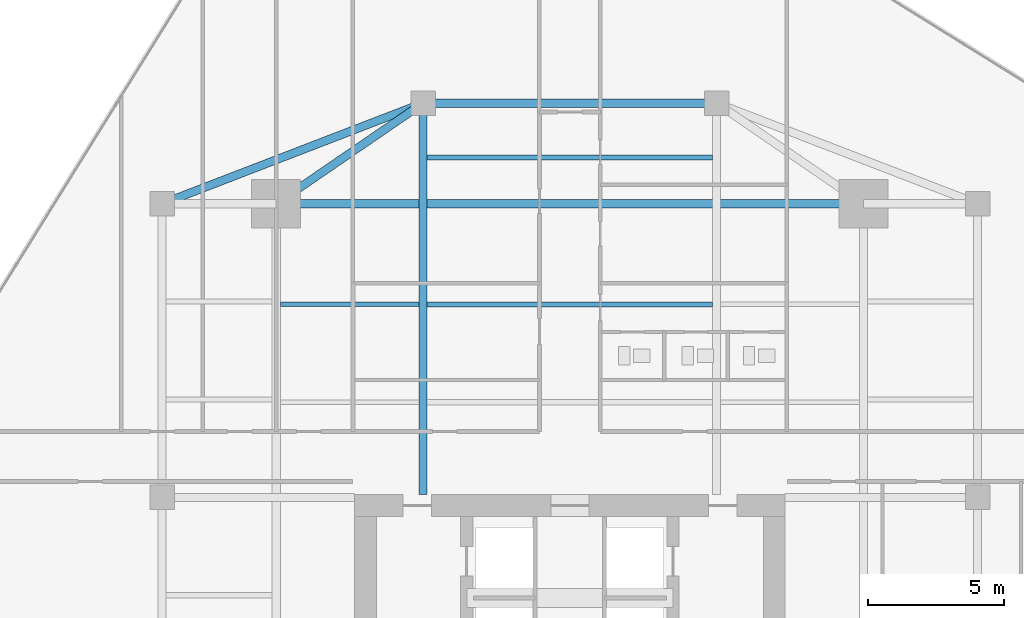
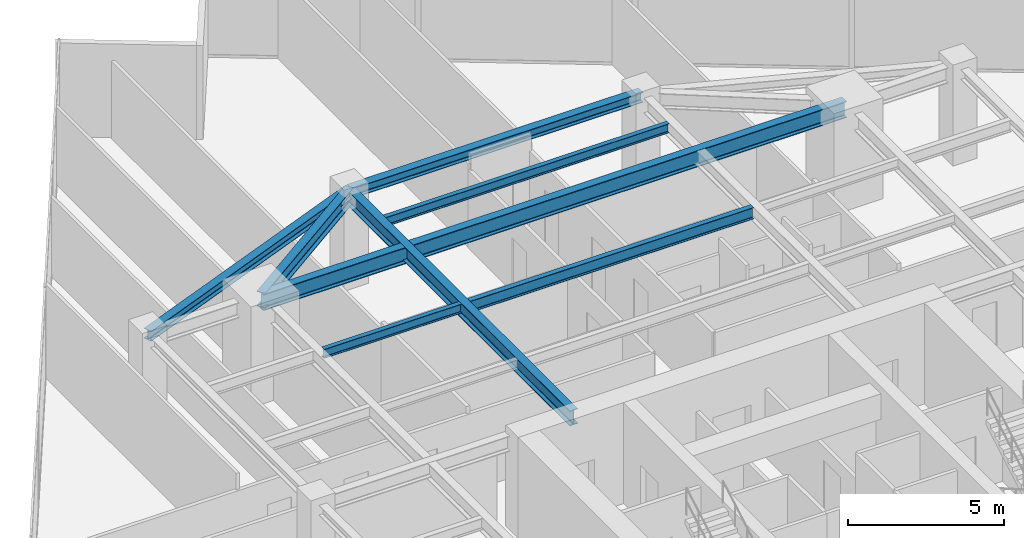
# One storey, part 14 of 25: 8 beams.
"""IFC4 building model written with IfcOpenShell, lengths in metres."""

import ifcopenshell
import ifcopenshell.guid

model = None  # the IFC model being written
_history = None  # IfcOwnerHistory: only IFC2X3 demands one
_inside = {}  # id of a spatial element -> (the spatial element, [elements in it])
_under = {}  # id of a project, library or spatial element -> (it, [spatial elements below it])
_declared = {}  # id of a project -> (the project, [libraries it declares])
_typed = {}  # id of a type object -> (the type object, [elements of that type])
_made_of = {}  # id of a material, layer set ... -> (it, [elements and type objects made of it])


def new_model(schema):
    """Start an empty IFC model of exactly this schema.

    Asked for "IFC4X3", IfcOpenShell would pick the latest addendum, in which some entities
    have other attributes; the version numbers below select the first issue.
    IFC2X3 requires an IfcOwnerHistory on every rooted entity: one is made here for all.
    """
    global model, _history
    if schema == "IFC4X3":
        model = ifcopenshell.file(schema_version=(4, 3, 0, 0))
    else:
        model = ifcopenshell.file(schema=schema)
    _inside.clear()
    _under.clear()
    _declared.clear()
    _typed.clear()
    _made_of.clear()
    _history = None
    if model.schema == "IFC2X3":
        org = make("IfcOrganization", Name="unknown")
        user = make(
            "IfcPersonAndOrganization",
            ThePerson=make("IfcPerson", FamilyName="unknown"),
            TheOrganization=org,
        )
        app = make(
            "IfcApplication",
            ApplicationDeveloper=org,
            Version="unknown",
            ApplicationFullName="unknown",
            ApplicationIdentifier="unknown",
        )
        _history = make(
            "IfcOwnerHistory",
            OwningUser=user,
            OwningApplication=app,
            ChangeAction="ADDED",
            CreationDate=0,
        )
    return model


def make(cls, **values):
    """One entity of the class cls with the attributes given. An attribute that is None is left unset."""
    return model.create_entity(
        cls, **{name: value for name, value in values.items() if value is not None}
    )


def rooted(cls, **values):
    """An entity with a GlobalId (a new one), such as an element, a storey or a relation."""
    return make(cls, GlobalId=ifcopenshell.guid.new(), OwnerHistory=_history, **values)


def si_unit(unit_type, name, prefix=None):
    """IfcSIUnit, for example si_unit("LENGTHUNIT", "METRE", prefix="MILLI")."""
    return make("IfcSIUnit", UnitType=unit_type, Prefix=prefix, Name=name)


def assignment(units):
    """IfcUnitAssignment: the units of a project."""
    return None if units is None else make("IfcUnitAssignment", Units=units)


def point(xyz):
    """IfcCartesianPoint."""
    return None if xyz is None else make("IfcCartesianPoint", Coordinates=xyz)


def direction(xyz):
    """IfcDirection."""
    return None if xyz is None else make("IfcDirection", DirectionRatios=xyz)


def frame(location, z_axis=None, x_axis=None):
    """IfcAxis2Placement3D, a coordinate frame: its origin and axes. An axis left out is left unset."""
    return make(
        "IfcAxis2Placement3D",
        Location=point(location),
        Axis=direction(z_axis),
        RefDirection=direction(x_axis),
    )


def frame_2d(location, x_axis=None):
    """IfcAxis2Placement2D, a coordinate frame in the plane: its origin and x axis."""
    return make(
        "IfcAxis2Placement2D", Location=point(location), RefDirection=direction(x_axis)
    )


def origin():
    """The frame at (0, 0, 0) with its axes left unset."""
    return frame((0.0, 0.0, 0.0))


def origin_2d():
    """The frame at (0, 0) in the plane with its x axis left unset."""
    return frame_2d((0.0, 0.0))


def place(relative_to, where):
    """IfcLocalPlacement: puts the frame where relative to a parent placement (None: the world)."""
    return make(
        "IfcLocalPlacement", PlacementRelTo=relative_to, RelativePlacement=where
    )


def context(
    kind, dimensions, precision=None, world=None, true_north=None, identifier=None
):
    """IfcGeometricRepresentationContext, for example the 3D "Model" context."""
    return make(
        "IfcGeometricRepresentationContext",
        ContextIdentifier=identifier,
        ContextType=kind,
        CoordinateSpaceDimension=dimensions,
        Precision=precision,
        WorldCoordinateSystem=world,
        TrueNorth=true_north,
    )


def subcontext(parent, identifier, kind, view, scale=None):
    """IfcGeometricRepresentationSubContext, for example "Body" below "Model"."""
    return make(
        "IfcGeometricRepresentationSubContext",
        ContextIdentifier=identifier,
        ContextType=kind,
        ParentContext=parent,
        TargetScale=scale,
        TargetView=view,
    )


def project(units=None, contexts=None):
    """IfcProject with its units and contexts."""
    return rooted(
        "IfcProject",
        Name="project",
        RepresentationContexts=contexts,
        UnitsInContext=assignment(units),
    )


def spatial(cls, under=None, at=None, **own):
    """A site, building, storey or space (cls), placed at a placement, below another one or the project."""
    s = rooted(cls, ObjectPlacement=at, **own)
    if under is not None:
        _under.setdefault(under.id(), (under, []))[1].append(s)
    return s


def profile(cls, at=None, kind="AREA", **sizes):
    """A parametric profile (cls). Its sizes go by their IFC names, for example OverallWidth=200.0."""
    return make(cls, ProfileType=kind, Position=at, **sizes)


def i_section(**sizes):
    """IfcIShapeProfileDef."""
    return profile("IfcIShapeProfileDef", **sizes)


def extrude(swept, where, along, depth):
    """IfcExtrudedAreaSolid: the profile swept, set in the frame where, extruded along a direction by depth."""
    return make(
        "IfcExtrudedAreaSolid",
        SweptArea=swept,
        Position=where,
        ExtrudedDirection=direction(along),
        Depth=depth,
    )


def shape(context_of_items, identifier, shape_type, items):
    """IfcShapeRepresentation: the items that make up one representation, for example the "Body"."""
    return make(
        "IfcShapeRepresentation",
        ContextOfItems=context_of_items,
        RepresentationIdentifier=identifier,
        RepresentationType=shape_type,
        Items=items,
    )


def source(mapping_origin, context_of_items, identifier, shape_type, items):
    """IfcRepresentationMap: a shape defined once, which mapped items show again and again."""
    return make(
        "IfcRepresentationMap",
        MappingOrigin=mapping_origin,
        MappedRepresentation=shape(context_of_items, identifier, shape_type, items),
    )


def transform(
    local_origin,
    x_axis=None,
    y_axis=None,
    z_axis=None,
    scale=None,
    scale2=None,
    scale3=None,
    uniform=True,
):
    """IfcCartesianTransformationOperator3D, or its non-uniform kind. x_axis, y_axis, z_axis: its Axis1, 2, 3."""
    if uniform:
        return make(
            "IfcCartesianTransformationOperator3D",
            Axis1=direction(x_axis),
            Axis2=direction(y_axis),
            LocalOrigin=point(local_origin),
            Scale=scale,
            Axis3=direction(z_axis),
        )
    return make(
        "IfcCartesianTransformationOperator3DnonUniform",
        Axis1=direction(x_axis),
        Axis2=direction(y_axis),
        LocalOrigin=point(local_origin),
        Scale=scale,
        Axis3=direction(z_axis),
        Scale2=scale2,
        Scale3=scale3,
    )


def mapped(mapping_source, mapping_target):
    """IfcMappedItem: shows the shape of a source again, moved by a transform."""
    return make(
        "IfcMappedItem", MappingSource=mapping_source, MappingTarget=mapping_target
    )


def material(Name=None, Category=None):
    """IfcMaterial."""
    return make("IfcMaterial", Name=Name, Category=Category)


def material_profile(
    of_material, cross_section, Name=None, Category=None, Priority=None
):
    """IfcMaterialProfile: a cross section and its material."""
    return make(
        "IfcMaterialProfile",
        Name=Name,
        Material=of_material,
        Profile=cross_section,
        Priority=Priority,
        Category=Category,
    )


def profile_set(profiles, Name=None, composite=None):
    """IfcMaterialProfileSet."""
    return make(
        "IfcMaterialProfileSet",
        Name=Name,
        MaterialProfiles=profiles,
        CompositeProfile=composite,
    )


def made_of(thing, what):
    """Note that an element or type object is made of a material, layer set ...; save() writes the relation."""
    if what is not None:
        _made_of.setdefault(what.id(), (what, []))[1].append(thing)
    return thing


def type_object(cls, material=None, **own):
    """A type object (cls), such as IfcWallType, which elements share."""
    return made_of(rooted(cls, **own), material)


def type_shapes(of_type, sources):
    """Give a type object the sources (RepresentationMaps) that its elements show as mapped items."""
    of_type.RepresentationMaps = sources


def element(
    cls,
    number,
    at=None,
    inside=None,
    cuts=None,
    type_object=None,
    material=None,
    context=None,
    identifier="Body",
    shape_type=None,
    held_by="IfcProductDefinitionShape",
    body=None,
    shapes=None,
    **own,
):
    """One element of the class cls, such as IfcWall. Its Tag is "e" and its number.

    at: its placement. inside: the storey or other place that contains it. cuts: it is an
    opening in that element (IfcRelVoidsElement). A single representation is given by context,
    identifier, shape_type and body (its items); several are given by shapes. held_by: the class
    of the entity that holds the representations. save() writes the other relations.
    """
    e = rooted(cls, Tag="e%d" % number, ObjectPlacement=at, **own)
    if body is not None:
        shapes = [shape(context, identifier, shape_type, body)]
    if shapes is not None:
        e.Representation = make(held_by, Representations=shapes)
    if inside is not None:
        _inside.setdefault(inside.id(), (inside, []))[1].append(e)
    if cuts is not None:
        rooted(
            "IfcRelVoidsElement", RelatingBuildingElement=cuts, RelatedOpeningElement=e
        )
    if type_object is not None:
        _typed.setdefault(type_object.id(), (type_object, []))[1].append(e)
    return made_of(e, material)


def aggregate(whole, parts):
    """IfcRelAggregates: a whole, such as a stair, and the parts it consists of."""
    return rooted("IfcRelAggregates", RelatingObject=whole, RelatedObjects=parts)


def save(model, path):
    """Write the relations noted so far, then the file.

    IfcRelAggregates (storeys below a building ...), IfcRelContainedInSpatialStructure (elements
    in a storey), IfcRelDefinesByType, IfcRelAssociatesMaterial and IfcRelDeclares: one each for
    every whole, place, type object, material and project.
    """
    for whole, parts in _under.values():
        aggregate(whole, parts)
    for where, things in _inside.values():
        rooted(
            "IfcRelContainedInSpatialStructure",
            RelatedElements=things,
            RelatingStructure=where,
        )
    for kind, things in _typed.values():
        rooted("IfcRelDefinesByType", RelatedObjects=things, RelatingType=kind)
    for what, things in _made_of.values():
        rooted("IfcRelAssociatesMaterial", RelatedObjects=things, RelatingMaterial=what)
    for by, libraries in _declared.values():
        rooted("IfcRelDeclares", RelatingContext=by, RelatedDefinitions=libraries)
    model.write(path)


model = new_model("IFC4")

# Units and contexts
model_context = context("Model", 3, precision=1e-05, world=origin(), true_north=direction((0.0, 1.0)))
body_context = subcontext(model_context, "Body", "Model", "MODEL_VIEW")
ifc_project = project(units=[si_unit("LENGTHUNIT", "METRE"), si_unit("AREAUNIT", "SQUARE_METRE"), si_unit("VOLUMEUNIT", "CUBIC_METRE"), si_unit("PLANEANGLEUNIT", "RADIAN"), si_unit("MASSUNIT", "GRAM", prefix="KILO")], contexts=[model_context])

# Site, building, storey
site_placement = place(None, origin())
site = spatial("IfcSite", under=ifc_project, at=site_placement, CompositionType="ELEMENT")
building_placement = place(site_placement, origin())
building = spatial("IfcBuilding", under=site, at=building_placement, Name="Krantzveldt Concourse Tower", CompositionType="ELEMENT")
storey_placement = place(building_placement, frame((0.0, 0.0, 181.75)))
storey = spatial("IfcBuildingStorey", under=building, at=storey_placement, Name="L44", CompositionType="ELEMENT", Elevation=181.75)

# Beams
ifc_material = material(Name="Steel S355JR", Category="steel")
ifc_material_profile_1 = material_profile(ifc_material, i_section(OverallWidth=0.300048828125, OverallDepth=0.639892578125, WebThickness=0.013427734375, FlangeThickness=0.02587890625, FilletRadius=0.027099609375, at=origin_2d()), Name="Steel S355JR", Category="steel")
ifc_profile_set_1 = profile_set([ifc_material_profile_1], Name="Steel S355JR - HEA 650")
beam_type_1 = type_object("IfcBeamType", Name="BM-B-HEA650", PredefinedType="BEAM", material=ifc_profile_set_1)
shared_shape_1 = source(origin(), body_context, "Body", "SweptSolid", [
    extrude(i_section(OverallWidth=0.300048828125, OverallDepth=0.639892578125, WebThickness=0.013427734375, FlangeThickness=0.02587890625, FilletRadius=0.027099609375, at=origin_2d()), origin(), (0.0, 0.0, 1.0), 21.60009765625),
])
type_shapes(beam_type_1, [shared_shape_1])
beam_1_placement = place(storey_placement, frame((25.199951171875, 37.5, 3.35009765625), z_axis=(1.0, 0.0, 0.0), x_axis=(0.0, 1.0, 0.0)))
element("IfcBeam", 1, at=beam_1_placement, inside=storey, type_object=beam_type_1, Name="L44 Tower Girder BG-MN", PredefinedType="BEAM", context=body_context, shape_type="MappedRepresentation", body=[
    mapped(shared_shape_1, transform((0.0, 0.0, 0.0), x_axis=(1.0, 0.0, 0.0), y_axis=(0.0, 1.0, 0.0), z_axis=(0.0, 0.0, 1.0), scale=1.0)),
])
ifc_material_profile_2 = material_profile(ifc_material, i_section(OverallWidth=0.300048828125, OverallDepth=0.590087890625, WebThickness=0.012939453125, FlangeThickness=0.02490234375, FilletRadius=0.027099609375, at=origin_2d()), Name="Steel S355JR", Category="steel")
ifc_profile_set_2 = profile_set([ifc_material_profile_2], Name="Steel S355JR - HEA 600")
beam_type_2 = type_object("IfcBeamType", Name="BM-B-HEA600", PredefinedType="BEAM", material=ifc_profile_set_2)
shared_shape_2 = source(origin(), body_context, "Body", "SweptSolid", [
    extrude(i_section(OverallWidth=0.300048828125, OverallDepth=0.590087890625, WebThickness=0.012939453125, FlangeThickness=0.02490234375, FilletRadius=0.027099609375, at=origin_2d()), origin(), (0.0, 0.0, 1.0), 14.39990234375),
])
beam_2_placement = place(storey_placement, frame((30.60009765625, 26.800048828125, 3.375), z_axis=(0.0, 1.0, 0.0), x_axis=(-1.0, 0.0, 0.0)))
element("IfcBeam", 2, at=beam_2_placement, inside=storey, type_object=beam_type_2, Name="L44 Tower Girder BG-CNW", PredefinedType="BEAM", context=body_context, shape_type="MappedRepresentation", body=[
    mapped(shared_shape_2, transform((0.0, 0.0, 0.0), x_axis=(1.0, 0.0, 0.0), y_axis=(0.0, 1.0, 0.0), z_axis=(0.0, 0.0, 1.0), scale=1.0)),
])
shared_shape_3 = source(origin(), body_context, "Body", "SweptSolid", [
    extrude(i_section(OverallWidth=0.300048828125, OverallDepth=0.590087890625, WebThickness=0.012939453125, FlangeThickness=0.02490234375, FilletRadius=0.027099609375, at=origin_2d()), origin(), (0.0, 0.0, 1.0), 6.546142578125),
])
type_shapes(beam_type_2, [shared_shape_2, shared_shape_3])
beam_3_placement = place(storey_placement, frame((25.199951171875, 37.5, 3.375), z_axis=(0.824942999484, 0.565215930068, 0.0), x_axis=(-0.565215930068, 0.824942999484, 0.0)))
element("IfcBeam", 3, at=beam_3_placement, inside=storey, type_object=beam_type_2, Name="L44 Tower Girder BR-RL4", PredefinedType="BEAM", context=body_context, shape_type="MappedRepresentation", body=[
    mapped(shared_shape_3, transform((0.0, 0.0, 0.0), x_axis=(1.0, 0.0, 0.0), y_axis=(0.0, 1.0, 0.0), z_axis=(0.0, 0.0, 1.0), scale=1.0)),
])
ifc_material_profile_3 = material_profile(ifc_material, i_section(OverallWidth=0.18994140625, OverallDepth=0.449951171875, WebThickness=0.009521484375, FlangeThickness=0.0146484375, FilletRadius=0.02099609375, at=origin_2d()), Name="Steel S355JR", Category="steel")
ifc_profile_set_3 = profile_set([ifc_material_profile_3], Name="Steel S355JR - IPE 450")
beam_type_3 = type_object("IfcBeamType", Name="BM-J-IPE450", PredefinedType="JOIST", material=ifc_profile_set_3)
shared_shape_4 = source(origin(), body_context, "Body", "SweptSolid", [
    extrude(i_section(OverallWidth=0.18994140625, OverallDepth=0.449951171875, WebThickness=0.009521484375, FlangeThickness=0.0146484375, FilletRadius=0.02099609375, at=origin_2d()), origin(), (0.0, 0.0, 1.0), 10.5),
])
type_shapes(beam_type_3, [shared_shape_4])
beam_4_placement = place(storey_placement, frame((30.75, 33.800048828125, 3.445068359375), z_axis=(1.0, 0.0, 0.0), x_axis=(0.0, 1.0, 0.0)))
element("IfcBeam", 4, at=beam_4_placement, inside=storey, type_object=beam_type_3, Name="L44 Secondary Floor Joist JN-C2", PredefinedType="JOIST", context=body_context, shape_type="MappedRepresentation", body=[
    mapped(shared_shape_4, transform((0.0, 0.0, 0.0), x_axis=(1.0, 0.0, 0.0), y_axis=(0.0, 1.0, 0.0), z_axis=(0.0, 0.0, 1.0), scale=1.0)),
])
ifc_material_profile_4 = material_profile(ifc_material, i_section(OverallWidth=0.300048828125, OverallDepth=0.389892578125, WebThickness=0.010986328125, FlangeThickness=0.01904296875, FilletRadius=0.027099609375, at=origin_2d()), Name="Steel S355JR", Category="steel")
ifc_profile_set_4 = profile_set([ifc_material_profile_4], Name="Steel S355JR - HEA 400")
beam_type_4 = type_object("IfcBeamType", Name="BM-SP-HEA400", PredefinedType="SPANDREL", material=ifc_profile_set_4)
shared_shape_5 = source(origin(), body_context, "Body", "SweptSolid", [
    extrude(i_section(OverallWidth=0.300048828125, OverallDepth=0.389892578125, WebThickness=0.010986328125, FlangeThickness=0.01904296875, FilletRadius=0.027099609375, at=origin_2d()), origin(), (0.0, 0.0, 1.0), 10.288330078125),
])
beam_5_placement = place(storey_placement, frame((21.0, 37.5, 3.47509765625), z_axis=(0.933097690408, 0.359622997257, 0.0), x_axis=(-0.359622997257, 0.933097690408, 0.0)))
element("IfcBeam", 5, at=beam_5_placement, inside=storey, type_object=beam_type_4, Name="L44 Tower Girder SP-R03", PredefinedType="SPANDREL", context=body_context, shape_type="MappedRepresentation", body=[
    mapped(shared_shape_5, transform((0.0, 0.0, 0.0), x_axis=(1.0, 0.0, 0.0), y_axis=(0.0, 1.0, 0.0), z_axis=(0.0, 0.0, 1.0), scale=1.0)),
])
shared_shape_6 = source(origin(), body_context, "Body", "SweptSolid", [
    extrude(i_section(OverallWidth=0.300048828125, OverallDepth=0.389892578125, WebThickness=0.010986328125, FlangeThickness=0.01904296875, FilletRadius=0.027099609375, at=origin_2d()), origin(), (0.0, 0.0, 1.0), 10.7998046875),
])
type_shapes(beam_type_4, [shared_shape_5, shared_shape_6])
beam_6_placement = place(storey_placement, frame((30.60009765625, 41.199951171875, 3.47509765625), z_axis=(1.0, 0.0, 0.0), x_axis=(0.0, 1.0, 0.0)))
element("IfcBeam", 6, at=beam_6_placement, inside=storey, type_object=beam_type_4, Name="L44 Tower Girder SP-R04", PredefinedType="SPANDREL", context=body_context, shape_type="MappedRepresentation", body=[
    mapped(shared_shape_6, transform((0.0, 0.0, 0.0), x_axis=(1.0, 0.0, 0.0), y_axis=(0.0, 1.0, 0.0), z_axis=(0.0, 0.0, 1.0), scale=1.0)),
])
ifc_material_profile_5 = material_profile(ifc_material, i_section(OverallWidth=0.169921875, OverallDepth=0.360107421875, WebThickness=0.008056640625, FlangeThickness=0.0126953125, FilletRadius=0.01806640625, at=origin_2d()), Name="Steel S355JR", Category="steel")
ifc_profile_set_5 = profile_set([ifc_material_profile_5], Name="Steel S355JR - IPE 360")
beam_type_5 = type_object("IfcBeamType", Name="BM-J-IPE360", PredefinedType="JOIST", material=ifc_profile_set_5)
shared_shape_7 = source(origin(), body_context, "Body", "SweptSolid", [
    extrude(i_section(OverallWidth=0.169921875, OverallDepth=0.360107421875, WebThickness=0.008056640625, FlangeThickness=0.0126953125, FilletRadius=0.01806640625, at=origin_2d()), origin(), (0.0, 0.0, 1.0), 10.5),
])
beam_7_placement = place(storey_placement, frame((30.75, 39.199951171875, 3.489990234375), z_axis=(1.0, 0.0, 0.0), x_axis=(0.0, 1.0, 0.0)))
element("IfcBeam", 7, at=beam_7_placement, inside=storey, type_object=beam_type_5, Name="L44 Secondary Floor Joist JN-C3", PredefinedType="JOIST", context=body_context, shape_type="MappedRepresentation", body=[
    mapped(shared_shape_7, transform((0.0, 0.0, 0.0), x_axis=(1.0, 0.0, 0.0), y_axis=(0.0, 1.0, 0.0), z_axis=(0.0, 0.0, 1.0), scale=1.0)),
])
shared_shape_8 = source(origin(), body_context, "Body", "SweptSolid", [
    extrude(i_section(OverallWidth=0.169921875, OverallDepth=0.360107421875, WebThickness=0.008056640625, FlangeThickness=0.0126953125, FilletRadius=0.01806640625, at=origin_2d()), origin(), (0.0, 0.0, 1.0), 5.099853515625),
])
type_shapes(beam_type_5, [shared_shape_7, shared_shape_8])
beam_8_placement = place(storey_placement, frame((25.35009765625, 33.800048828125, 3.489990234375), z_axis=(1.0, 0.0, 0.0), x_axis=(0.0, 1.0, 0.0)))
element("IfcBeam", 8, at=beam_8_placement, inside=storey, type_object=beam_type_5, Name="L44 Secondary Floor Joist JN-W2", PredefinedType="JOIST", context=body_context, shape_type="MappedRepresentation", body=[
    mapped(shared_shape_8, transform((0.0, 0.0, 0.0), x_axis=(1.0, 0.0, 0.0), y_axis=(0.0, 1.0, 0.0), z_axis=(0.0, 0.0, 1.0), scale=1.0)),
])

save(model, "model.ifc")
